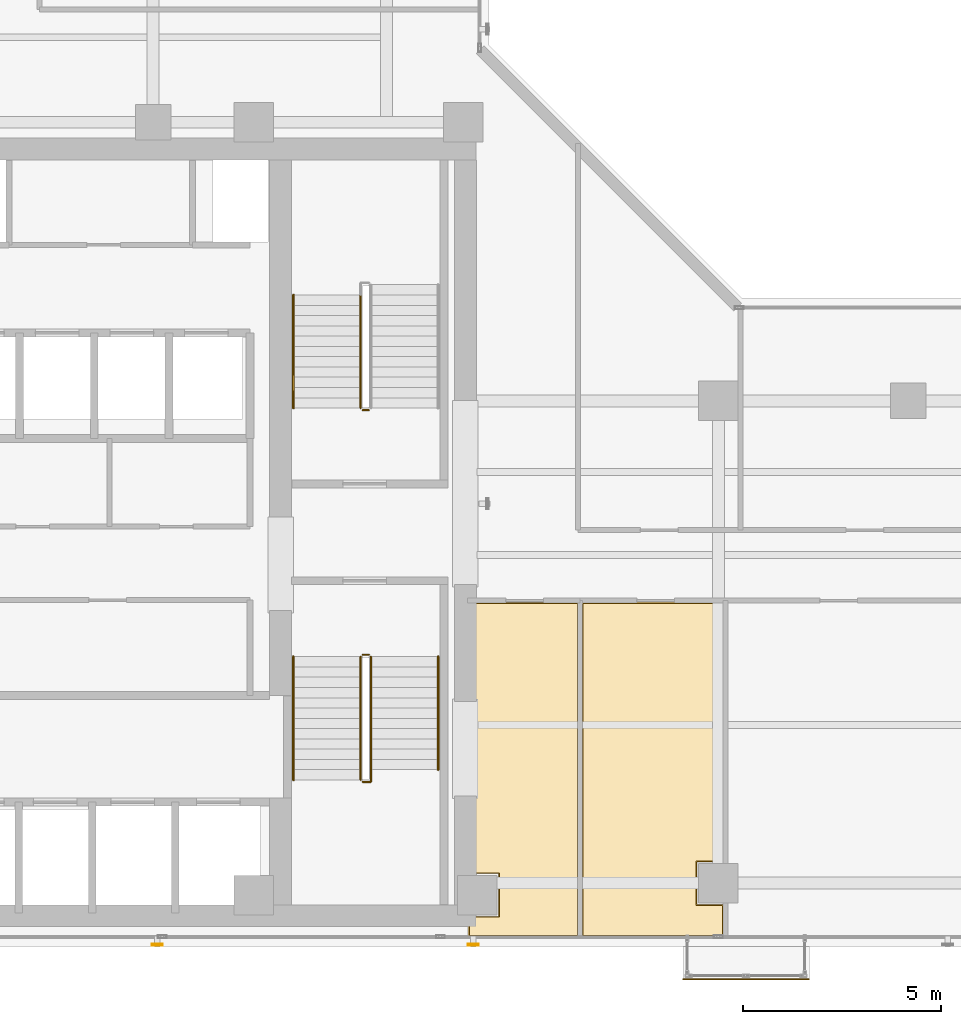
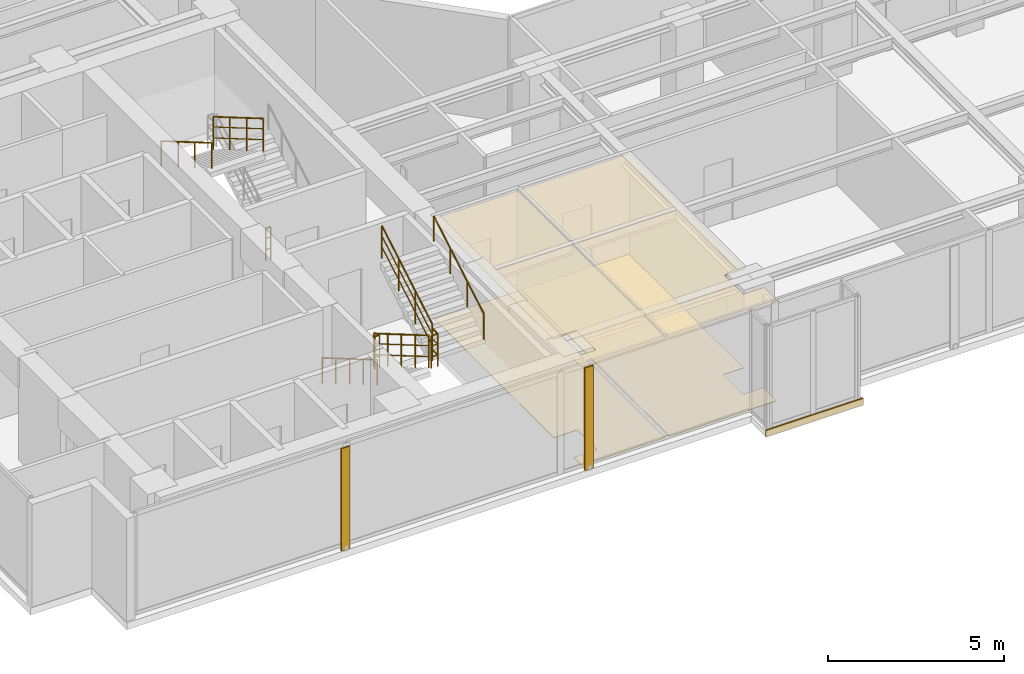
# One storey, part 20 of 23: 9 railings, 5 coverings, 2 shading devices.
"""IFC4 building model written with IfcOpenShell, lengths in metres."""

from ifc_helpers import new_model, si_unit, direction, frame, origin, origin_2d, place, context, subcontext, project, spatial, polyline, rectangle, hollow_rectangle, circle, outline, extrude, material, layer, layer_set, material_profile, profile_set, type_object, element, save


model = new_model("IFC4")

# Units and contexts
model_context = context("Model", 3, precision=1e-05, world=origin(), true_north=direction((0.0, 1.0)))
body_context = subcontext(model_context, "Body", "Model", "MODEL_VIEW")
ifc_project = project(units=[si_unit("LENGTHUNIT", "METRE"), si_unit("AREAUNIT", "SQUARE_METRE"), si_unit("VOLUMEUNIT", "CUBIC_METRE"), si_unit("PLANEANGLEUNIT", "RADIAN"), si_unit("MASSUNIT", "GRAM", prefix="KILO")], contexts=[model_context])

# Site, building, storey
site_placement = place(None, origin())
site = spatial("IfcSite", under=ifc_project, at=site_placement, CompositionType="ELEMENT")
building_placement = place(site_placement, origin())
building = spatial("IfcBuilding", under=site, at=building_placement, Name="Kolvaren Waterfront Exchange", CompositionType="ELEMENT")
storey_placement = place(building_placement, frame((0.0, 0.0, 231.10009765625)))
storey = spatial("IfcBuildingStorey", under=building, at=storey_placement, Name="L59", CompositionType="ELEMENT", Elevation=231.10009765625)

# Coverings
ifc_material_1 = material(Name="Mineral fibre acoustic ceiling tile")
ifc_layer_1 = layer(ifc_material_1, 0.02490234375, Name="Mineral fibre acoustic ceiling tile")
ifc_layer_set_1 = layer_set([ifc_layer_1], Name="Mineral fibre acoustic ceiling tile")
covering_type_1 = type_object("IfcCoveringType", Name="ARC-CEIL-ACOUSTIC-25", PredefinedType="CEILING", material=ifc_layer_set_1)
covering_1_placement = place(storey_placement, frame((0.0, 0.0, 3.44482421875)))
element("IfcCovering", 1, at=covering_1_placement, inside=storey, type_object=covering_type_1, Name="L59 acoustic suspended ceiling 2", PredefinedType="CEILING", context=body_context, shape_type="SweptSolid", body=[
    extrude(outline(polyline([(20.864990234375, 5.43994140625), (21.639892578125, 5.43994140625), (21.639892578125, 4.360107421875), (20.864990234375, 4.360107421875), (20.864990234375, 3.844970703125), (23.675048828125, 3.844970703125), (23.675048828125, 12.304931640625), (20.864990234375, 12.304931640625), (20.864990234375, 5.43994140625)])), origin(), (0.0, 0.0, 1.0), 0.025146484375),
])
covering_2_placement = place(storey_placement, frame((0.0, 0.0, 3.44482421875)))
element("IfcCovering", 2, at=covering_2_placement, inside=storey, type_object=covering_type_1, Name="L59 acoustic suspended ceiling 3", PredefinedType="CEILING", context=body_context, shape_type="SweptSolid", body=[
    extrude(outline(polyline([(27.3349609375, 4.659912109375), (26.659912109375, 4.659912109375), (26.659912109375, 5.739990234375), (27.3349609375, 5.739990234375), (27.3349609375, 12.31494140625), (23.7451171875, 12.31494140625), (23.7451171875, 3.844970703125), (27.3349609375, 3.844970703125), (27.3349609375, 4.659912109375)])), origin(), (0.0, 0.0, 1.0), 0.025146484375),
])
ifc_material_2 = material(Name="Anodised bronze fascia aluminium", Category="aluminium")
ifc_layer_2 = layer(ifc_material_2, 0.034912109375, Name="Anodised bronze fascia aluminium")
ifc_layer_set_2 = layer_set([ifc_layer_2], Name="Anodised bronze fascia aluminium")
covering_type_2 = type_object("IfcCoveringType", Name="ARC-CLAD-BRONZE-35", PredefinedType="CLADDING", material=ifc_layer_set_2)
covering_3_placement = place(storey_placement, frame((27.89990234375, 2.77001953125, -0.22021484375), z_axis=(0.0, 0.0, 1.0), x_axis=(1.0, 0.0, 0.0)))
element("IfcCovering", 3, at=covering_3_placement, inside=storey, type_object=covering_type_2, Name="L59 ribbed anodised bronze bay-box fascia", PredefinedType="CLADDING", context=body_context, shape_type="SweptSolid", body=[
    extrude(rectangle(XDim=3.199951171875, YDim=0.034912109375, at=origin_2d()), origin(), (0.0, 0.0, 1.0), 0.239990234375),
])

# Shading devices
ifc_material_3 = material(Name="Anodised bronze aluminium 6063-T6", Category="aluminium")
ifc_material_profile = material_profile(ifc_material_3, hollow_rectangle(XDim=0.054931640625, YDim=0.280029296875, WallThickness=0.00439453125, at=origin_2d()), Name="BRZ-FIN-280x55x4.5")
ifc_profile_set = profile_set([ifc_material_profile], Name="Anodised bronze aluminium 6063-T6")
shading_device_type = type_object("IfcShadingDeviceType", Name="ARC-FIN-280", PredefinedType="USERDEFINED", material=ifc_profile_set)
for number, where, z_axis, x_axis, name in (
    (4, (13.0, 3.639892578125, 0.0), (0.0, 0.0, 1.0), (0.0, -1.0, 0.0), "L59 anodised bronze solar shading fin FIN-L59-S1"),
    (5, (21.0, 3.639892578125, 0.0), (0.0, 0.0, 1.0), (0.0, -1.0, 0.0), "L59 anodised bronze solar shading fin FIN-L59-S2"),
):
    element("IfcShadingDevice", number, at=place(storey_placement, frame(where, z_axis=z_axis, x_axis=x_axis)), inside=storey, type_object=shading_device_type, Name=name, ObjectType="SOLAR FIN", PredefinedType="USERDEFINED", context=body_context, shape_type="SweptSolid", body=[
        extrude(hollow_rectangle(XDim=0.054931640625, YDim=0.280029296875, WallThickness=0.00439453125, at=origin_2d()), origin(), (0.0, 0.0, 1.0), 3.559814453125),
    ])

# Coverings
ifc_material_4 = material(Name="Slip-resistant porcelain tile")
ifc_layer_3 = layer(ifc_material_4, 0.014892578125, Name="Slip-resistant porcelain tile")
ifc_layer_set_3 = layer_set([ifc_layer_3], Name="Slip-resistant porcelain tile")
covering_type_3 = type_object("IfcCoveringType", Name="ARC-FLR-PORC-15", PredefinedType="FLOORING", material=ifc_layer_set_3)
covering_4_placement = place(storey_placement, origin())
element("IfcCovering", 6, at=covering_4_placement, inside=storey, type_object=covering_type_3, Name="L59 floor finish 2", PredefinedType="FLOORING", context=body_context, shape_type="SweptSolid", body=[
    extrude(outline(polyline([(20.89990234375, 4.340087890625), (20.89990234375, 3.8798828125), (23.639892578125, 3.8798828125), (23.639892578125, 12.27001953125), (20.89990234375, 12.27001953125), (20.89990234375, 5.4599609375), (21.659912109375, 5.4599609375), (21.659912109375, 4.340087890625), (20.89990234375, 4.340087890625)])), origin(), (0.0, 0.0, 1.0), 0.014892578125),
])
covering_5_placement = place(storey_placement, origin())
element("IfcCovering", 7, at=covering_5_placement, inside=storey, type_object=covering_type_3, Name="L59 floor finish 3", PredefinedType="FLOORING", context=body_context, shape_type="SweptSolid", body=[
    extrude(outline(polyline([(23.780029296875, 12.280029296875), (23.780029296875, 3.8798828125), (27.300048828125, 3.8798828125), (27.300048828125, 4.639892578125), (26.639892578125, 4.639892578125), (26.639892578125, 5.760009765625), (27.300048828125, 5.760009765625), (27.300048828125, 12.280029296875), (23.780029296875, 12.280029296875)])), origin(), (0.0, 0.0, 1.0), 0.014892578125),
])

# Railings
ifc_material_5 = material(Name="Stainless steel 316", Category="steel")
railing_type_1 = type_object("IfcRailingType", Name="ARC-GUARD-STAIR", PredefinedType="GUARDRAIL", material=ifc_material_5)
railing_1_placement = place(storey_placement, frame((18.14990234375, 10.929931640625, 0.15185546875)))
element("IfcRailing", 8, at=railing_1_placement, inside=storey, type_object=railing_type_1, Name="L59 ST1 stair guard 1", PredefinedType="GUARDRAIL", context=body_context, shape_type="SweptSolid", body=[
    extrude(circle(Radius=0.02392578125, at=origin_2d()), frame((0.0, 0.0, 1.1259765625), z_axis=(0.0, -0.86329090724, 0.504706656858), x_axis=(1.0, 0.0, 0.0)), (0.0, 0.0, 1.0), 3.614013671875),
    extrude(circle(Radius=0.01611328125, at=origin_2d()), frame((0.0, 0.0, 0.390869140625), z_axis=(0.0, -0.86329090724, 0.504706656858), x_axis=(1.0, 0.0, 0.0)), (0.0, 0.0, 1.0), 3.614013671875),
    extrude(circle(Radius=0.01611328125, at=origin_2d()), frame((0.0, 0.0, 0.7705078125), z_axis=(0.0, -0.86329090724, 0.504706656858), x_axis=(1.0, 0.0, 0.0)), (0.0, 0.0, 1.0), 3.614013671875),
    extrude(circle(Radius=0.02099609375, at=origin_2d()), origin(), (0.0, 0.0, 1.0), 1.101806640625),
    extrude(circle(Radius=0.02099609375, at=origin_2d()), frame((0.0, -0.780029296875, 0.4560546875)), (0.0, 0.0, 1.0), 1.101806640625),
    extrude(circle(Radius=0.02099609375, at=origin_2d()), frame((0.0, -1.56005859375, 0.912109375)), (0.0, 0.0, 1.0), 1.101806640625),
    extrude(circle(Radius=0.02099609375, at=origin_2d()), frame((0.0, -2.33984375, 1.367919921875)), (0.0, 0.0, 1.0), 1.101806640625),
    extrude(circle(Radius=0.02099609375, at=origin_2d()), frame((0.0, -3.119873046875, 1.823974609375)), (0.0, 0.0, 1.0), 1.101806640625),
])
railing_2_placement = place(storey_placement, frame((18.199951171875, 7.760009765625, 1.975830078125)))
element("IfcRailing", 9, at=railing_2_placement, inside=storey, type_object=railing_type_1, Name="L59 ST1 stair guard 2", PredefinedType="GUARDRAIL", context=body_context, shape_type="SweptSolid", body=[
    extrude(circle(Radius=0.02392578125, at=origin_2d()), frame((0.0, 0.0, 1.1259765625), z_axis=(1.0, 0.0, 0.0), x_axis=(0.0, 1.0, 0.0)), (0.0, 0.0, 1.0), 0.2099609375),
    extrude(circle(Radius=0.01611328125, at=origin_2d()), frame((0.0, 0.0, 0.390869140625), z_axis=(1.0, 0.0, 0.0), x_axis=(0.0, 1.0, 0.0)), (0.0, 0.0, 1.0), 0.2099609375),
    extrude(circle(Radius=0.01611328125, at=origin_2d()), frame((0.0, 0.0, 0.7705078125), z_axis=(1.0, 0.0, 0.0), x_axis=(0.0, 1.0, 0.0)), (0.0, 0.0, 1.0), 0.2099609375),
    extrude(circle(Radius=0.02392578125, at=origin_2d()), frame((0.2099609375, 0.0, 1.1259765625), z_axis=(0.0, 1.0, 0.0), x_axis=(-1.0, 0.0, 0.0)), (0.0, 0.0, 1.0), 0.31005859375),
    extrude(circle(Radius=0.01611328125, at=origin_2d()), frame((0.2099609375, 0.0, 0.390869140625), z_axis=(0.0, 1.0, 0.0), x_axis=(-1.0, 0.0, 0.0)), (0.0, 0.0, 1.0), 0.31005859375),
    extrude(circle(Radius=0.01611328125, at=origin_2d()), frame((0.2099609375, 0.0, 0.7705078125), z_axis=(0.0, 1.0, 0.0), x_axis=(-1.0, 0.0, 0.0)), (0.0, 0.0, 1.0), 0.31005859375),
    extrude(circle(Radius=0.02099609375, at=origin_2d()), origin(), (0.0, 0.0, 1.0), 1.101806640625),
    extrude(circle(Radius=0.02099609375, at=origin_2d()), frame((0.2099609375, 0.0, 0.0)), (0.0, 0.0, 1.0), 1.101806640625),
    extrude(circle(Radius=0.02099609375, at=origin_2d()), frame((0.2099609375, 0.31005859375, 0.0)), (0.0, 0.0, 1.0), 1.101806640625),
])
railing_3_placement = place(storey_placement, frame((18.409912109375, 8.070068359375, 2.1279296875)))
element("IfcRailing", 10, at=railing_3_placement, inside=storey, type_object=railing_type_1, Name="L59 ST1 stair guard 3", PredefinedType="GUARDRAIL", context=body_context, shape_type="SweptSolid", body=[
    extrude(circle(Radius=0.02392578125, at=origin_2d()), frame((0.0, 0.0, 1.1259765625), z_axis=(0.0, 0.86330272217, 0.504686447108), x_axis=(-1.0, 0.0, 0.0)), (0.0, 0.0, 1.0), 3.312744140625),
    extrude(circle(Radius=0.01611328125, at=origin_2d()), frame((0.0, 0.0, 0.390869140625), z_axis=(0.0, 0.86330272217, 0.504686447108), x_axis=(-1.0, 0.0, 0.0)), (0.0, 0.0, 1.0), 3.312744140625),
    extrude(circle(Radius=0.01611328125, at=origin_2d()), frame((0.0, 0.0, 0.7705078125), z_axis=(0.0, 0.86330272217, 0.504686447108), x_axis=(-1.0, 0.0, 0.0)), (0.0, 0.0, 1.0), 3.312744140625),
    extrude(circle(Radius=0.02099609375, at=origin_2d()), origin(), (0.0, 0.0, 1.0), 1.101806640625),
    extrude(circle(Radius=0.02099609375, at=origin_2d()), frame((0.0, 0.953369140625, 0.557373046875)), (0.0, 0.0, 1.0), 1.101806640625),
    extrude(circle(Radius=0.02099609375, at=origin_2d()), frame((0.0, 1.906494140625, 1.114501953125)), (0.0, 0.0, 1.0), 1.101806640625),
    extrude(circle(Radius=0.02099609375, at=origin_2d()), frame((0.0, 2.85986328125, 1.671875)), (0.0, 0.0, 1.0), 1.101806640625),
])
railing_4_placement = place(storey_placement, frame((18.199951171875, 10.97998046875, 0.0)))
element("IfcRailing", 11, at=railing_4_placement, inside=storey, type_object=railing_type_1, Name="L59 ST1 stair guard 4", PredefinedType="GUARDRAIL", context=body_context, shape_type="SweptSolid", body=[
    extrude(circle(Radius=0.02392578125, at=origin_2d()), frame((0.0, 0.0, 1.1259765625), z_axis=(1.0, 0.0, 0.0), x_axis=(0.0, 1.0, 0.0)), (0.0, 0.0, 1.0), 0.16015625),
    extrude(circle(Radius=0.01611328125, at=origin_2d()), frame((0.0, 0.0, 0.390869140625), z_axis=(1.0, 0.0, 0.0), x_axis=(0.0, 1.0, 0.0)), (0.0, 0.0, 1.0), 0.16015625),
    extrude(circle(Radius=0.01611328125, at=origin_2d()), frame((0.0, 0.0, 0.7705078125), z_axis=(1.0, 0.0, 0.0), x_axis=(0.0, 1.0, 0.0)), (0.0, 0.0, 1.0), 0.16015625),
    extrude(circle(Radius=0.02099609375, at=origin_2d()), origin(), (0.0, 0.0, 1.0), 1.101806640625),
    extrude(circle(Radius=0.02099609375, at=origin_2d()), frame((0.16015625, 0.0, 0.0)), (0.0, 0.0, 1.0), 1.101806640625),
])
railing_5_placement = place(storey_placement, frame((18.14990234375, 20.080078125, 2.1279296875)))
element("IfcRailing", 12, at=railing_5_placement, inside=storey, type_object=railing_type_1, Name="L59 ST2 stair guard 3", PredefinedType="GUARDRAIL", context=body_context, shape_type="SweptSolid", body=[
    extrude(circle(Radius=0.02392578125, at=origin_2d()), frame((0.0, 0.0, 1.1259765625), z_axis=(0.0, -0.863321491973, 0.504654338629), x_axis=(1.0, 0.0, 0.0)), (0.0, 0.0, 1.0), 3.31298828125),
    extrude(circle(Radius=0.01611328125, at=origin_2d()), frame((0.0, 0.0, 0.390869140625), z_axis=(0.0, -0.863321491973, 0.504654338629), x_axis=(1.0, 0.0, 0.0)), (0.0, 0.0, 1.0), 3.31298828125),
    extrude(circle(Radius=0.01611328125, at=origin_2d()), frame((0.0, 0.0, 0.7705078125), z_axis=(0.0, -0.863321491973, 0.504654338629), x_axis=(1.0, 0.0, 0.0)), (0.0, 0.0, 1.0), 3.31298828125),
    extrude(circle(Radius=0.02099609375, at=origin_2d()), origin(), (0.0, 0.0, 1.0), 1.101806640625),
    extrude(circle(Radius=0.02099609375, at=origin_2d()), frame((0.0, -0.953369140625, 0.557373046875)), (0.0, 0.0, 1.0), 1.101806640625),
    extrude(circle(Radius=0.02099609375, at=origin_2d()), frame((0.0, -1.90673828125, 1.114501953125)), (0.0, 0.0, 1.0), 1.101806640625),
    extrude(circle(Radius=0.02099609375, at=origin_2d()), frame((0.0, -2.860107421875, 1.671875)), (0.0, 0.0, 1.0), 1.101806640625),
])
railing_6_placement = place(storey_placement, frame((18.360107421875, 17.169921875, 0.0)))
element("IfcRailing", 13, at=railing_6_placement, inside=storey, type_object=railing_type_1, Name="L59 ST2 stair guard 4", PredefinedType="GUARDRAIL", context=body_context, shape_type="SweptSolid", body=[
    extrude(circle(Radius=0.02392578125, at=origin_2d()), frame((0.0, 0.0, 1.1259765625), z_axis=(-1.0, 0.0, 0.0), x_axis=(0.0, -1.0, 0.0)), (0.0, 0.0, 1.0), 0.16015625),
    extrude(circle(Radius=0.01611328125, at=origin_2d()), frame((0.0, 0.0, 0.390869140625), z_axis=(-1.0, 0.0, 0.0), x_axis=(0.0, -1.0, 0.0)), (0.0, 0.0, 1.0), 0.16015625),
    extrude(circle(Radius=0.01611328125, at=origin_2d()), frame((0.0, 0.0, 0.7705078125), z_axis=(-1.0, 0.0, 0.0), x_axis=(0.0, -1.0, 0.0)), (0.0, 0.0, 1.0), 0.16015625),
    extrude(circle(Radius=0.02099609375, at=origin_2d()), origin(), (0.0, 0.0, 1.0), 1.101806640625),
    extrude(circle(Radius=0.02099609375, at=origin_2d()), frame((-0.16015625, 0.0, 0.0)), (0.0, 0.0, 1.0), 1.101806640625),
])
railing_type_2 = type_object("IfcRailingType", Name="ARC-HANDRAIL-900", PredefinedType="HANDRAIL", material=ifc_material_5)
railing_7_placement = place(storey_placement, frame((16.449951171875, 10.929931640625, 0.15185546875)))
element("IfcRailing", 14, at=railing_7_placement, inside=storey, type_object=railing_type_2, Name="L59 ST1 stair handrail 1", PredefinedType="HANDRAIL", context=body_context, shape_type="SweptSolid", body=[
    extrude(circle(Radius=0.02392578125, at=origin_2d()), frame((0.0, 0.0, 0.8759765625), z_axis=(0.0, -0.86329090724, 0.504706656858), x_axis=(1.0, 0.0, 0.0)), (0.0, 0.0, 1.0), 3.614013671875),
    extrude(circle(Radius=0.02099609375, at=origin_2d()), origin(), (0.0, 0.0, 1.0), 0.851806640625),
    extrude(circle(Radius=0.02099609375, at=origin_2d()), frame((0.0, -0.780029296875, 0.4560546875)), (0.0, 0.0, 1.0), 0.851806640625),
    extrude(circle(Radius=0.02099609375, at=origin_2d()), frame((0.0, -1.56005859375, 0.912109375)), (0.0, 0.0, 1.0), 0.851806640625),
    extrude(circle(Radius=0.02099609375, at=origin_2d()), frame((0.0, -2.33984375, 1.367919921875)), (0.0, 0.0, 1.0), 0.851806640625),
    extrude(circle(Radius=0.02099609375, at=origin_2d()), frame((0.0, -3.119873046875, 1.823974609375)), (0.0, 0.0, 1.0), 0.851806640625),
])
railing_8_placement = place(storey_placement, frame((20.110107421875, 8.070068359375, 2.1279296875)))
element("IfcRailing", 15, at=railing_8_placement, inside=storey, type_object=railing_type_2, Name="L59 ST1 stair handrail 2", PredefinedType="HANDRAIL", context=body_context, shape_type="SweptSolid", body=[
    extrude(circle(Radius=0.02392578125, at=origin_2d()), frame((0.0, 0.0, 0.8759765625), z_axis=(0.0, 0.86330272217, 0.504686447108), x_axis=(-1.0, 0.0, 0.0)), (0.0, 0.0, 1.0), 3.312744140625),
    extrude(circle(Radius=0.02099609375, at=origin_2d()), origin(), (0.0, 0.0, 1.0), 0.851806640625),
    extrude(circle(Radius=0.02099609375, at=origin_2d()), frame((0.0, 0.953369140625, 0.557373046875)), (0.0, 0.0, 1.0), 0.851806640625),
    extrude(circle(Radius=0.02099609375, at=origin_2d()), frame((0.0, 1.906494140625, 1.114501953125)), (0.0, 0.0, 1.0), 0.851806640625),
    extrude(circle(Radius=0.02099609375, at=origin_2d()), frame((0.0, 2.85986328125, 1.671875)), (0.0, 0.0, 1.0), 0.851806640625),
])
railing_9_placement = place(storey_placement, frame((16.449951171875, 20.080078125, 2.1279296875)))
element("IfcRailing", 16, at=railing_9_placement, inside=storey, type_object=railing_type_2, Name="L59 ST2 stair handrail 2", PredefinedType="HANDRAIL", context=body_context, shape_type="SweptSolid", body=[
    extrude(circle(Radius=0.02392578125, at=origin_2d()), frame((0.0, 0.0, 0.8759765625), z_axis=(0.0, -0.863321491973, 0.504654338629), x_axis=(1.0, 0.0, 0.0)), (0.0, 0.0, 1.0), 3.31298828125),
    extrude(circle(Radius=0.02099609375, at=origin_2d()), origin(), (0.0, 0.0, 1.0), 0.851806640625),
    extrude(circle(Radius=0.02099609375, at=origin_2d()), frame((0.0, -0.953369140625, 0.557373046875)), (0.0, 0.0, 1.0), 0.851806640625),
    extrude(circle(Radius=0.02099609375, at=origin_2d()), frame((0.0, -1.90673828125, 1.114501953125)), (0.0, 0.0, 1.0), 0.851806640625),
    extrude(circle(Radius=0.02099609375, at=origin_2d()), frame((0.0, -2.860107421875, 1.671875)), (0.0, 0.0, 1.0), 0.851806640625),
])

save(model, "model.ifc")
